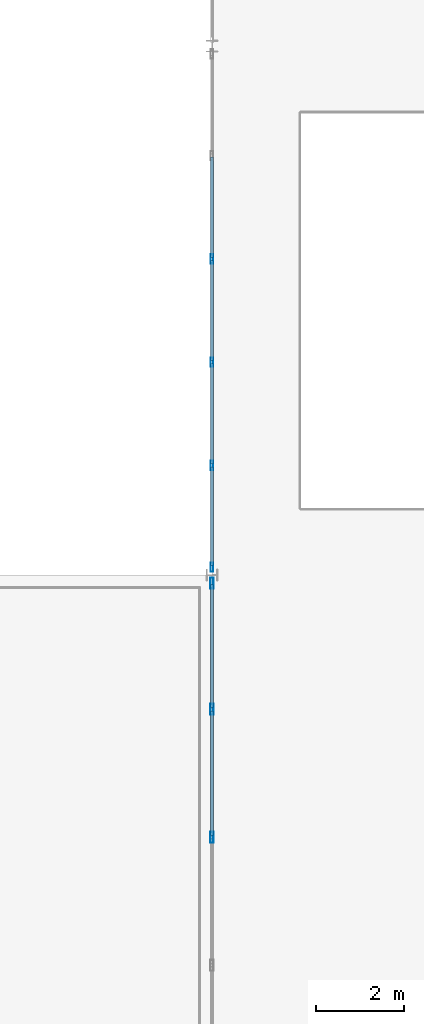
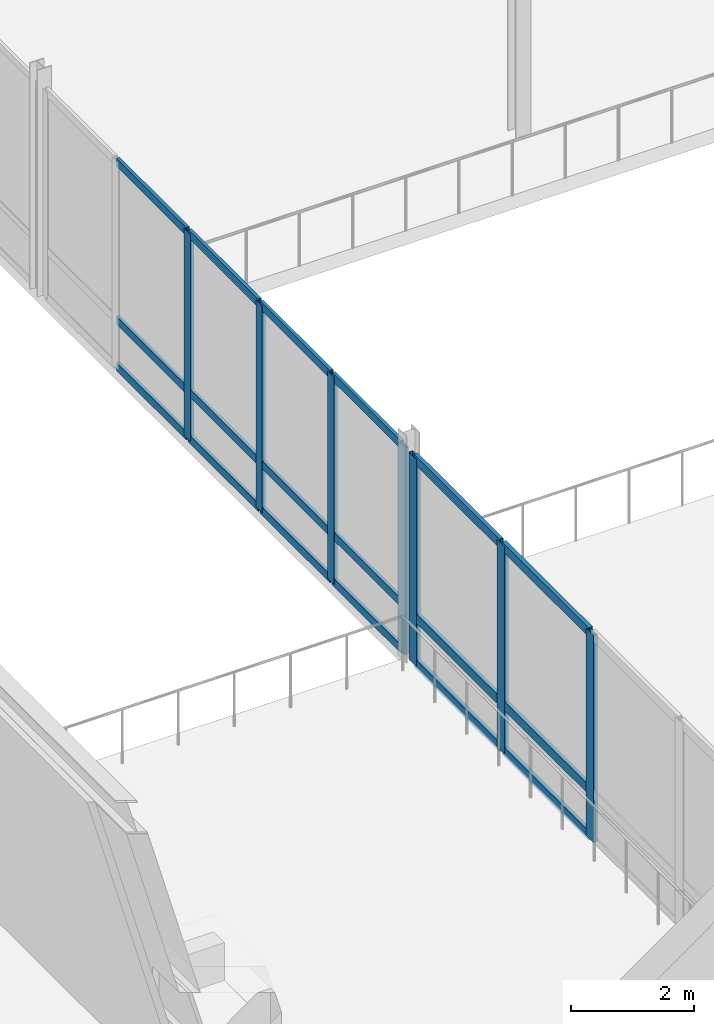
# One storey, part 32 of 115: 25 members, 2 elements without a shape of their own.
"""IFC4 building model written with IfcOpenShell, lengths in metres."""

from ifc_helpers import new_model, si_unit, direction, frame, origin, origin_2d, place, context, subcontext, project, spatial, hollow_rectangle, extrude, material, layer, layer_set, material_profile, profile_set, type_object, element, aggregate, save


model = new_model("IFC4")

# Units and contexts
model_context = context("Model", 3, precision=1e-05, world=origin(), true_north=direction((0.0, 1.0)))
body_context = subcontext(model_context, "Body", "Model", "MODEL_VIEW")
ifc_project = project(units=[si_unit("LENGTHUNIT", "METRE"), si_unit("AREAUNIT", "SQUARE_METRE"), si_unit("VOLUMEUNIT", "CUBIC_METRE"), si_unit("PLANEANGLEUNIT", "RADIAN"), si_unit("MASSUNIT", "GRAM", prefix="KILO")], contexts=[model_context])

# Site, building, storey
site_placement = place(None, origin())
site = spatial("IfcSite", under=ifc_project, at=site_placement, CompositionType="ELEMENT")
building_placement = place(site_placement, origin())
building = spatial("IfcBuilding", under=site, at=building_placement, Name="Montelvaro Courts of Justice", CompositionType="ELEMENT")
storey_placement = place(building_placement, frame((0.0, 0.0, 9.89990234375)))
storey = spatial("IfcBuildingStorey", under=building, at=storey_placement, Name="L02", CompositionType="ELEMENT", Elevation=9.89990234375)

# Curtain wall, members
ifc_material = material(Name="Anodised aluminium EN AW-6063", Category="aluminium")
ifc_layer_1 = layer(ifc_material, 0.159912109375)
ifc_layer_set_1 = layer_set([ifc_layer_1], Name="Anodised aluminium EN AW-6063")
curtain_wall_type_1 = type_object("IfcCurtainWallType", Name="CurtainWall_24_1169x418", PredefinedType="USERDEFINED", material=ifc_layer_set_1)
curtain_wall_1_placement = place(storey_placement, origin())
curtain_wall_1 = element("IfcCurtainWall", 1, at=curtain_wall_1_placement, inside=storey, type_object=curtain_wall_type_1, Name="Curtain Wall CW-24 (L02)", ObjectType="CURTAIN WALL", PredefinedType="USERDEFINED")
ifc_material_profile_1 = material_profile(ifc_material, hollow_rectangle(XDim=0.06494140625, YDim=0.2099609375, WallThickness=0.0048828125, at=origin_2d()), Name="ALU-M 65x210")
ifc_profile_set_1 = profile_set([ifc_material_profile_1], Name="Anodised aluminium EN AW-6063")
member_type_1 = type_object("IfcMemberType", Name="CurtainWall_Mullion_65x210", PredefinedType="MULLION", material=ifc_profile_set_1)
member_1_placement = place(storey_placement, frame((54.0, 61.1708984375, 0.0), z_axis=(0.0, 0.0, 1.0), x_axis=(1.0, 0.0, 0.0)))
member_1 = element("IfcMember", 2, at=member_1_placement, type_object=member_type_1, Name="CW-24 mullion 3", PredefinedType="MULLION", context=body_context, shape_type="SweptSolid", body=[
    extrude(hollow_rectangle(XDim=0.06494140625, YDim=0.2099609375, WallThickness=0.0048828125, at=origin_2d()), origin(), (0.0, 0.0, 1.0), 4.1201171875),
])
member_2_placement = place(storey_placement, frame((54.0, 58.8291015625, 0.0), z_axis=(0.0, 0.0, 1.0), x_axis=(1.0, 0.0, 0.0)))
member_2 = element("IfcMember", 3, at=member_2_placement, type_object=member_type_1, Name="CW-24 mullion 4", PredefinedType="MULLION", context=body_context, shape_type="SweptSolid", body=[
    extrude(hollow_rectangle(XDim=0.06494140625, YDim=0.2099609375, WallThickness=0.0048828125, at=origin_2d()), origin(), (0.0, 0.0, 1.0), 4.1201171875),
])
member_3_placement = place(storey_placement, frame((54.0, 56.487060546875, 0.0), z_axis=(0.0, 0.0, 1.0), x_axis=(1.0, 0.0, 0.0)))
member_3 = element("IfcMember", 4, at=member_3_placement, type_object=member_type_1, Name="CW-24 mullion 5", PredefinedType="MULLION", context=body_context, shape_type="SweptSolid", body=[
    extrude(hollow_rectangle(XDim=0.06494140625, YDim=0.2099609375, WallThickness=0.0048828125, at=origin_2d()), origin(), (0.0, 0.0, 1.0), 4.1201171875),
])
member_4_placement = place(storey_placement, frame((54.0, 54.177490234375, 0.0), z_axis=(0.0, 0.0, 1.0), x_axis=(1.0, 0.0, 0.0)))
member_4 = element("IfcMember", 5, at=member_4_placement, type_object=member_type_1, Name="CW-24 mullion 6", PredefinedType="MULLION", context=body_context, shape_type="SweptSolid", body=[
    extrude(hollow_rectangle(XDim=0.06494140625, YDim=0.2099609375, WallThickness=0.0048828125, at=origin_2d()), origin(), (0.0, 0.0, 1.0), 4.1201171875),
])

ifc_layer_2 = layer(ifc_material, 0.159912109375)
ifc_layer_set_2 = layer_set([ifc_layer_2], Name="Anodised aluminium EN AW-6063")
curtain_wall_type_2 = type_object("IfcCurtainWallType", Name="CurtainWall_19_1159x418", PredefinedType="USERDEFINED", material=ifc_layer_set_2)
curtain_wall_2_placement = place(storey_placement, origin())
curtain_wall_2 = element("IfcCurtainWall", 6, at=curtain_wall_2_placement, inside=storey, type_object=curtain_wall_type_2, Name="Curtain Wall CW-19 (L02)", ObjectType="CURTAIN WALL", PredefinedType="USERDEFINED")
ifc_material_profile_2 = material_profile(ifc_material, hollow_rectangle(XDim=0.074951171875, YDim=0.25, WallThickness=0.005615234375, at=origin_2d()), Name="ALU-M 75x250")
ifc_profile_set_2 = profile_set([ifc_material_profile_2], Name="Anodised aluminium EN AW-6063")
member_type_2 = type_object("IfcMemberType", Name="CurtainWall_Mullion_75x250", PredefinedType="MULLION", material=ifc_profile_set_2)
member_5_placement = place(storey_placement, frame((54.0, 53.8173828125, 0.0), z_axis=(0.0, 0.0, 1.0), x_axis=(1.0, 0.0, 0.0)))
member_5 = element("IfcMember", 7, at=member_5_placement, type_object=member_type_2, Name="CW-19 mullion 1", PredefinedType="MULLION", context=body_context, shape_type="SweptSolid", body=[
    extrude(hollow_rectangle(XDim=0.074951171875, YDim=0.25, WallThickness=0.005615234375, at=origin_2d()), origin(), (0.0, 0.0, 1.0), 4.1201171875),
])
member_6_placement = place(storey_placement, frame((54.0, 50.951171875, 0.0), z_axis=(0.0, 0.0, 1.0), x_axis=(1.0, 0.0, 0.0)))
member_6 = element("IfcMember", 8, at=member_6_placement, type_object=member_type_2, Name="CW-19 mullion 2", PredefinedType="MULLION", context=body_context, shape_type="SweptSolid", body=[
    extrude(hollow_rectangle(XDim=0.074951171875, YDim=0.25, WallThickness=0.005615234375, at=origin_2d()), origin(), (0.0, 0.0, 1.0), 4.1201171875),
])
member_7_placement = place(storey_placement, frame((54.0, 48.047607421875, 0.0), z_axis=(0.0, 0.0, 1.0), x_axis=(1.0, 0.0, 0.0)))
member_7 = element("IfcMember", 9, at=member_7_placement, type_object=member_type_2, Name="CW-19 mullion 3", PredefinedType="MULLION", context=body_context, shape_type="SweptSolid", body=[
    extrude(hollow_rectangle(XDim=0.074951171875, YDim=0.25, WallThickness=0.005615234375, at=origin_2d()), origin(), (0.0, 0.0, 1.0), 4.1201171875),
])

# Member
ifc_material_profile_3 = material_profile(ifc_material, hollow_rectangle(XDim=0.06005859375, YDim=0.159912109375, WallThickness=0.00439453125, at=origin_2d()), Name="ALU-T 60x160")
ifc_profile_set_3 = profile_set([ifc_material_profile_3], Name="Anodised aluminium EN AW-6063")
member_type_3 = type_object("IfcMemberType", Name="CurtainWall_Transom_60x160", PredefinedType="USERDEFINED", material=ifc_profile_set_3)
member_8_placement = place(storey_placement, frame((54.0, 63.48046875, 0.030029296875), z_axis=(0.0, -1.0, 0.0), x_axis=(1.0, 0.0, 0.0)))
member_8 = element("IfcMember", 10, at=member_8_placement, type_object=member_type_3, Name="CW-24 transom 2.1", ObjectType="TRANSOM", PredefinedType="USERDEFINED", context=body_context, shape_type="SweptSolid", body=[
    extrude(hollow_rectangle(XDim=0.06005859375, YDim=0.159912109375, WallThickness=0.00439453125, at=origin_2d()), origin(), (0.0, 0.0, 1.0), 2.27685546875),
])

member_9_placement = place(storey_placement, frame((54.0, 63.48046875, 0.9501953125), z_axis=(0.0, -1.0, 0.0), x_axis=(1.0, 0.0, 0.0)))
member_9 = element("IfcMember", 11, at=member_9_placement, type_object=member_type_3, Name="CW-24 transom 2.2", ObjectType="TRANSOM", PredefinedType="USERDEFINED", context=body_context, shape_type="SweptSolid", body=[
    extrude(hollow_rectangle(XDim=0.06005859375, YDim=0.159912109375, WallThickness=0.00439453125, at=origin_2d()), origin(), (0.0, 0.0, 1.0), 2.27685546875),
])

member_10_placement = place(storey_placement, frame((54.0, 63.48046875, 4.090087890625), z_axis=(0.0, -1.0, 0.0), x_axis=(1.0, 0.0, 0.0)))
member_10 = element("IfcMember", 12, at=member_10_placement, type_object=member_type_3, Name="CW-24 transom 2.3", ObjectType="TRANSOM", PredefinedType="USERDEFINED", context=body_context, shape_type="SweptSolid", body=[
    extrude(hollow_rectangle(XDim=0.06005859375, YDim=0.159912109375, WallThickness=0.00439453125, at=origin_2d()), origin(), (0.0, 0.0, 1.0), 2.27685546875),
])

member_11_placement = place(storey_placement, frame((54.0, 61.138427734375, 0.030029296875), z_axis=(0.0, -1.0, 0.0), x_axis=(1.0, 0.0, 0.0)))
member_11 = element("IfcMember", 13, at=member_11_placement, type_object=member_type_3, Name="CW-24 transom 3.1", ObjectType="TRANSOM", PredefinedType="USERDEFINED", context=body_context, shape_type="SweptSolid", body=[
    extrude(hollow_rectangle(XDim=0.06005859375, YDim=0.159912109375, WallThickness=0.00439453125, at=origin_2d()), origin(), (0.0, 0.0, 1.0), 2.27685546875),
])

member_12_placement = place(storey_placement, frame((54.0, 61.138427734375, 0.9501953125), z_axis=(0.0, -1.0, 0.0), x_axis=(1.0, 0.0, 0.0)))
member_12 = element("IfcMember", 14, at=member_12_placement, type_object=member_type_3, Name="CW-24 transom 3.2", ObjectType="TRANSOM", PredefinedType="USERDEFINED", context=body_context, shape_type="SweptSolid", body=[
    extrude(hollow_rectangle(XDim=0.06005859375, YDim=0.159912109375, WallThickness=0.00439453125, at=origin_2d()), origin(), (0.0, 0.0, 1.0), 2.27685546875),
])

member_13_placement = place(storey_placement, frame((54.0, 61.138427734375, 4.090087890625), z_axis=(0.0, -1.0, 0.0), x_axis=(1.0, 0.0, 0.0)))
member_13 = element("IfcMember", 15, at=member_13_placement, type_object=member_type_3, Name="CW-24 transom 3.3", ObjectType="TRANSOM", PredefinedType="USERDEFINED", context=body_context, shape_type="SweptSolid", body=[
    extrude(hollow_rectangle(XDim=0.06005859375, YDim=0.159912109375, WallThickness=0.00439453125, at=origin_2d()), origin(), (0.0, 0.0, 1.0), 2.27685546875),
])

member_14_placement = place(storey_placement, frame((54.0, 58.79638671875, 0.030029296875), z_axis=(0.0, -1.0, 0.0), x_axis=(1.0, 0.0, 0.0)))
member_14 = element("IfcMember", 16, at=member_14_placement, type_object=member_type_3, Name="CW-24 transom 4.1", ObjectType="TRANSOM", PredefinedType="USERDEFINED", context=body_context, shape_type="SweptSolid", body=[
    extrude(hollow_rectangle(XDim=0.06005859375, YDim=0.159912109375, WallThickness=0.00439453125, at=origin_2d()), origin(), (0.0, 0.0, 1.0), 2.27685546875),
])

member_15_placement = place(storey_placement, frame((54.0, 58.79638671875, 0.9501953125), z_axis=(0.0, -1.0, 0.0), x_axis=(1.0, 0.0, 0.0)))
member_15 = element("IfcMember", 17, at=member_15_placement, type_object=member_type_3, Name="CW-24 transom 4.2", ObjectType="TRANSOM", PredefinedType="USERDEFINED", context=body_context, shape_type="SweptSolid", body=[
    extrude(hollow_rectangle(XDim=0.06005859375, YDim=0.159912109375, WallThickness=0.00439453125, at=origin_2d()), origin(), (0.0, 0.0, 1.0), 2.27685546875),
])

member_16_placement = place(storey_placement, frame((54.0, 58.79638671875, 4.090087890625), z_axis=(0.0, -1.0, 0.0), x_axis=(1.0, 0.0, 0.0)))
member_16 = element("IfcMember", 18, at=member_16_placement, type_object=member_type_3, Name="CW-24 transom 4.3", ObjectType="TRANSOM", PredefinedType="USERDEFINED", context=body_context, shape_type="SweptSolid", body=[
    extrude(hollow_rectangle(XDim=0.06005859375, YDim=0.159912109375, WallThickness=0.00439453125, at=origin_2d()), origin(), (0.0, 0.0, 1.0), 2.27685546875),
])

member_17_placement = place(storey_placement, frame((54.0, 56.45458984375, 0.030029296875), z_axis=(0.0, -1.0, 0.0), x_axis=(1.0, 0.0, 0.0)))
member_17 = element("IfcMember", 19, at=member_17_placement, type_object=member_type_3, Name="CW-24 transom 5.1", ObjectType="TRANSOM", PredefinedType="USERDEFINED", context=body_context, shape_type="SweptSolid", body=[
    extrude(hollow_rectangle(XDim=0.06005859375, YDim=0.159912109375, WallThickness=0.00439453125, at=origin_2d()), origin(), (0.0, 0.0, 1.0), 2.24462890625),
])

member_18_placement = place(storey_placement, frame((54.0, 56.45458984375, 0.9501953125), z_axis=(0.0, -1.0, 0.0), x_axis=(1.0, 0.0, 0.0)))
member_18 = element("IfcMember", 20, at=member_18_placement, type_object=member_type_3, Name="CW-24 transom 5.2", ObjectType="TRANSOM", PredefinedType="USERDEFINED", context=body_context, shape_type="SweptSolid", body=[
    extrude(hollow_rectangle(XDim=0.06005859375, YDim=0.159912109375, WallThickness=0.00439453125, at=origin_2d()), origin(), (0.0, 0.0, 1.0), 2.24462890625),
])

member_19_placement = place(storey_placement, frame((54.0, 56.45458984375, 4.090087890625), z_axis=(0.0, -1.0, 0.0), x_axis=(1.0, 0.0, 0.0)))
member_19 = element("IfcMember", 21, at=member_19_placement, type_object=member_type_3, Name="CW-24 transom 5.3", ObjectType="TRANSOM", PredefinedType="USERDEFINED", context=body_context, shape_type="SweptSolid", body=[
    extrude(hollow_rectangle(XDim=0.06005859375, YDim=0.159912109375, WallThickness=0.00439453125, at=origin_2d()), origin(), (0.0, 0.0, 1.0), 2.24462890625),
])

aggregate(curtain_wall_1, [member_1, member_2, member_3, member_4, member_8, member_9, member_10, member_11, member_12, member_13, member_14, member_15, member_16, member_17, member_18, member_19])

ifc_material_profile_4 = material_profile(ifc_material, hollow_rectangle(XDim=0.074951171875, YDim=0.179931640625, WallThickness=0.0048828125, at=origin_2d()), Name="ALU-T 75x180")
ifc_profile_set_4 = profile_set([ifc_material_profile_4], Name="Anodised aluminium EN AW-6063")
member_type_4 = type_object("IfcMemberType", Name="CurtainWall_Transom_75x180", PredefinedType="USERDEFINED", material=ifc_profile_set_4)
member_20_placement = place(storey_placement, frame((54.0, 53.780029296875, 0.03759765625), z_axis=(0.0, -1.0, 0.0), x_axis=(1.0, 0.0, 0.0)))
member_20 = element("IfcMember", 22, at=member_20_placement, type_object=member_type_4, Name="CW-19 transom 1.1", ObjectType="TRANSOM", PredefinedType="USERDEFINED", context=body_context, shape_type="SweptSolid", body=[
    extrude(hollow_rectangle(XDim=0.074951171875, YDim=0.179931640625, WallThickness=0.0048828125, at=origin_2d()), origin(), (0.0, 0.0, 1.0), 2.791259765625),
])

member_21_placement = place(storey_placement, frame((54.0, 53.780029296875, 0.9501953125), z_axis=(0.0, -1.0, 0.0), x_axis=(1.0, 0.0, 0.0)))
member_21 = element("IfcMember", 23, at=member_21_placement, type_object=member_type_4, Name="CW-19 transom 1.2", ObjectType="TRANSOM", PredefinedType="USERDEFINED", context=body_context, shape_type="SweptSolid", body=[
    extrude(hollow_rectangle(XDim=0.074951171875, YDim=0.179931640625, WallThickness=0.0048828125, at=origin_2d()), origin(), (0.0, 0.0, 1.0), 2.791259765625),
])

member_22_placement = place(storey_placement, frame((54.0, 53.780029296875, 4.08251953125), z_axis=(0.0, -1.0, 0.0), x_axis=(1.0, 0.0, 0.0)))
member_22 = element("IfcMember", 24, at=member_22_placement, type_object=member_type_4, Name="CW-19 transom 1.3", ObjectType="TRANSOM", PredefinedType="USERDEFINED", context=body_context, shape_type="SweptSolid", body=[
    extrude(hollow_rectangle(XDim=0.074951171875, YDim=0.179931640625, WallThickness=0.0048828125, at=origin_2d()), origin(), (0.0, 0.0, 1.0), 2.791259765625),
])

member_23_placement = place(storey_placement, frame((54.0, 50.913818359375, 0.03759765625), z_axis=(0.0, -1.0, 0.0), x_axis=(1.0, 0.0, 0.0)))
member_23 = element("IfcMember", 25, at=member_23_placement, type_object=member_type_4, Name="CW-19 transom 2.1", ObjectType="TRANSOM", PredefinedType="USERDEFINED", context=body_context, shape_type="SweptSolid", body=[
    extrude(hollow_rectangle(XDim=0.074951171875, YDim=0.179931640625, WallThickness=0.0048828125, at=origin_2d()), origin(), (0.0, 0.0, 1.0), 2.828857421875),
])

member_24_placement = place(storey_placement, frame((54.0, 50.913818359375, 0.9501953125), z_axis=(0.0, -1.0, 0.0), x_axis=(1.0, 0.0, 0.0)))
member_24 = element("IfcMember", 26, at=member_24_placement, type_object=member_type_4, Name="CW-19 transom 2.2", ObjectType="TRANSOM", PredefinedType="USERDEFINED", context=body_context, shape_type="SweptSolid", body=[
    extrude(hollow_rectangle(XDim=0.074951171875, YDim=0.179931640625, WallThickness=0.0048828125, at=origin_2d()), origin(), (0.0, 0.0, 1.0), 2.828857421875),
])

member_25_placement = place(storey_placement, frame((54.0, 50.913818359375, 4.08251953125), z_axis=(0.0, -1.0, 0.0), x_axis=(1.0, 0.0, 0.0)))
member_25 = element("IfcMember", 27, at=member_25_placement, type_object=member_type_4, Name="CW-19 transom 2.3", ObjectType="TRANSOM", PredefinedType="USERDEFINED", context=body_context, shape_type="SweptSolid", body=[
    extrude(hollow_rectangle(XDim=0.074951171875, YDim=0.179931640625, WallThickness=0.0048828125, at=origin_2d()), origin(), (0.0, 0.0, 1.0), 2.828857421875),
])

aggregate(curtain_wall_2, [member_5, member_6, member_7, member_20, member_21, member_22, member_23, member_24, member_25])

save(model, "model.ifc")
